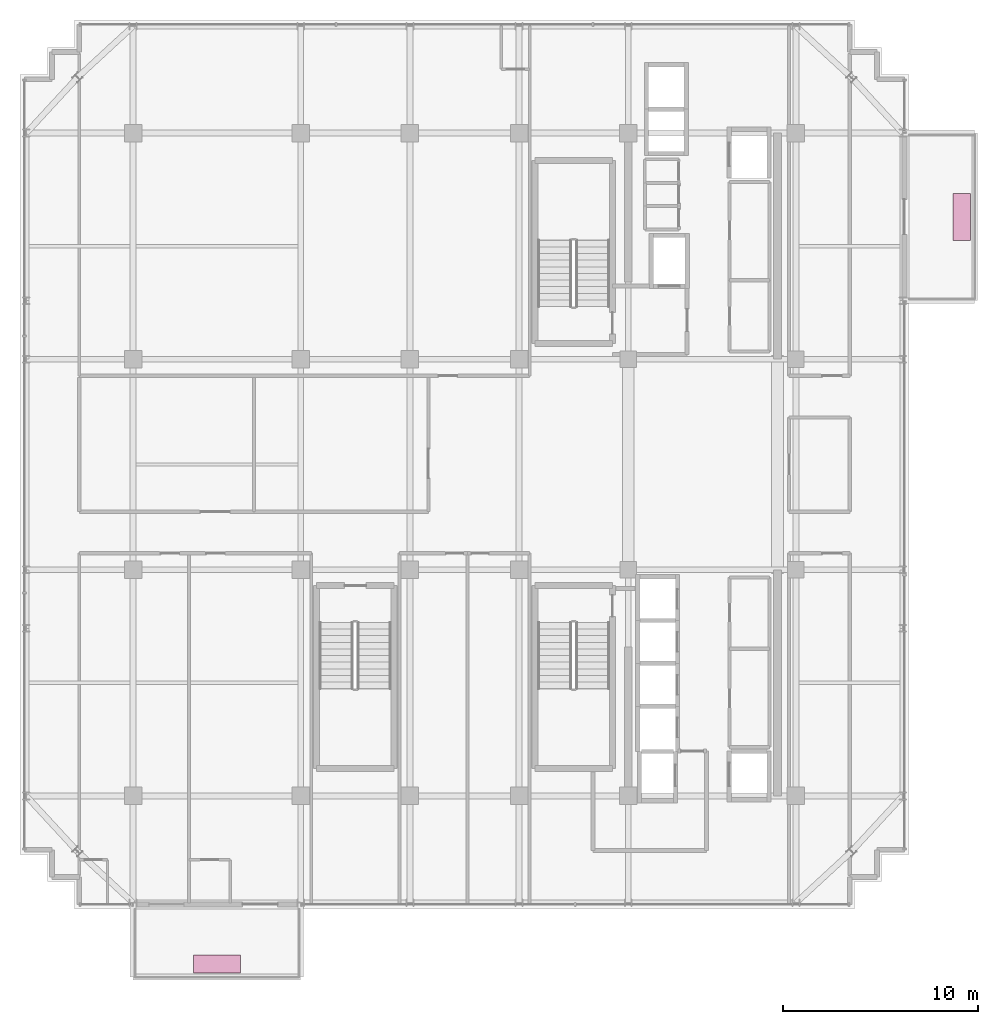
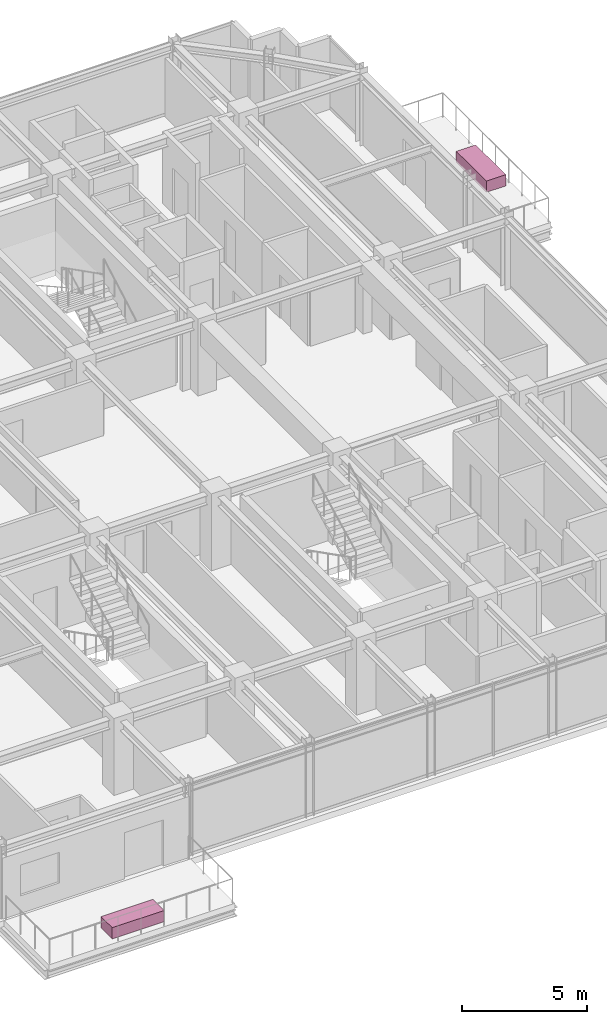
# One storey, part 33 of 33: 2 furnishings.
"""IFC4 building model written with IfcOpenShell, lengths in metres."""

from ifc_helpers import new_model, si_unit, direction, frame, origin, origin_2d, place, context, subcontext, project, spatial, rectangle, extrude, source, transform, mapped, material, type_object, element, save


model = new_model("IFC4")

# Units and contexts
model_context = context("Model", 3, precision=1e-05, world=origin(), true_north=direction((0.0, 1.0)))
body_context = subcontext(model_context, "Body", "Model", "MODEL_VIEW")
ifc_project = project(units=[si_unit("LENGTHUNIT", "METRE"), si_unit("AREAUNIT", "SQUARE_METRE"), si_unit("VOLUMEUNIT", "CUBIC_METRE"), si_unit("PLANEANGLEUNIT", "RADIAN"), si_unit("MASSUNIT", "GRAM", prefix="KILO")], contexts=[model_context])

# Site, building, storey
site_placement = place(None, origin())
site = spatial("IfcSite", under=ifc_project, at=site_placement, CompositionType="ELEMENT")
building_placement = place(site_placement, origin())
building = spatial("IfcBuilding", under=site, at=building_placement, Name="Nahalor Promenade Grand Hotel", CompositionType="ELEMENT")
storey_placement = place(building_placement, frame((0.0, 0.0, 315.75)))
storey = spatial("IfcBuildingStorey", under=building, at=storey_placement, Name="L81", CompositionType="ELEMENT", Elevation=315.75)

# Furnishings
ifc_material = material(Name="Vegetated Volcanic-Lapilli Tree Planter", Category="earth")
furnishing_element_type = type_object("IfcFurnishingElementType", Name="Planter-VerticalForest-Box", material=ifc_material)
shared_shape = source(origin(), body_context, "Body", "SweptSolid", [
    extrude(rectangle(XDim=2.39990234375, YDim=0.89990234375, at=origin_2d()), origin(), (0.0, 0.0, 1.0), 0.550048828125),
])
for number, where, z_axis, x_axis, name in (
    (1, (-12.699951171875, -25.6201171875, 0.0), (0.0, 0.0, 1.0), (1.0, 0.0, 0.0), "L81 Balcony Structural Tree Planter 1"),
    (2, (25.5, 12.699951171875, 0.0), (0.0, 0.0, 1.0), (0.0, 1.0, 0.0), "L81 Balcony Structural Tree Planter 2"),
):
    element("IfcFurnishingElement", number, at=place(storey_placement, frame(where, z_axis=z_axis, x_axis=x_axis)), inside=storey, type_object=furnishing_element_type, Name=name, ObjectType="PLANTER", context=body_context, shape_type="MappedRepresentation", body=[
        mapped(shared_shape, transform((0.0, 0.0, 0.0), scale=1.0)),
    ])

save(model, "model.ifc")
